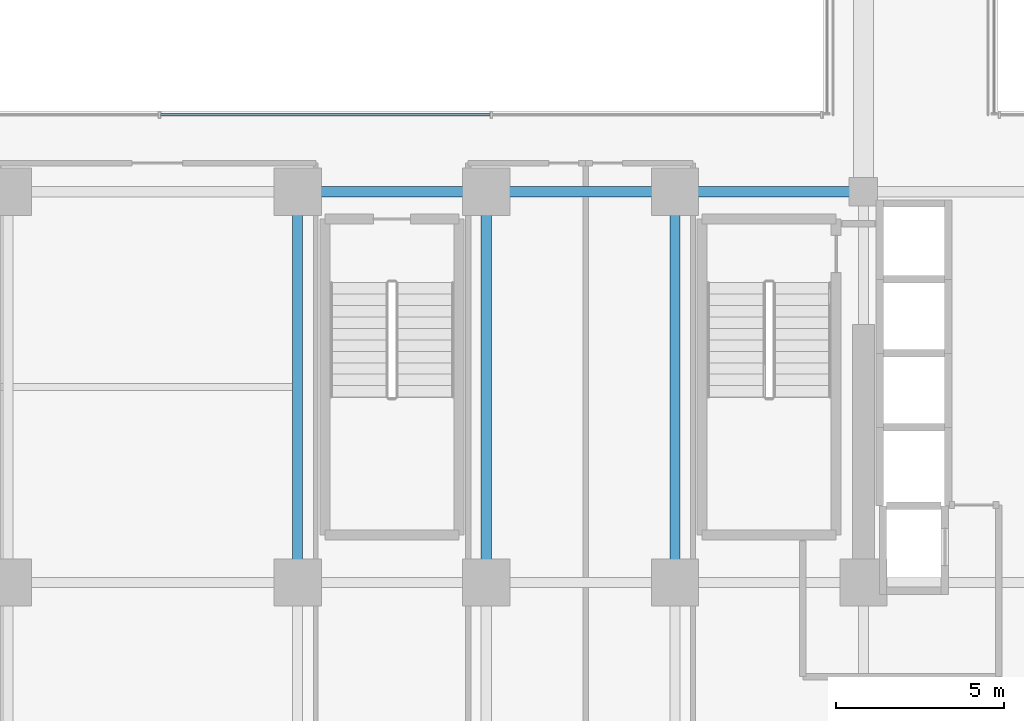
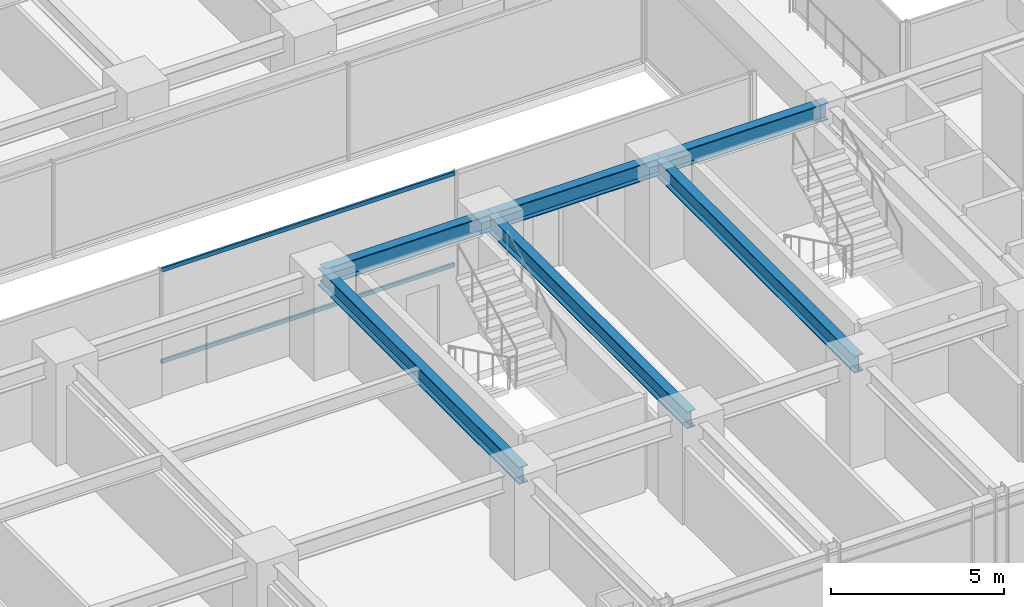
# One storey, part 9 of 35: 6 beams, 2 members, 1 element without a shape of its own.
"""IFC4 building model written with IfcOpenShell, lengths in metres."""

from ifc_helpers import new_model, si_unit, direction, frame, origin, origin_2d, place, context, subcontext, project, spatial, hollow_rectangle, i_section, extrude, source, transform, mapped, material, material_profile, profile_set, type_object, element, aggregate, save


model = new_model("IFC4")

# Units and contexts
model_context = context("Model", 3, precision=1e-05, world=origin(), true_north=direction((0.0, 1.0)))
body_context = subcontext(model_context, "Body", "Model", "MODEL_VIEW")
ifc_project = project(units=[si_unit("LENGTHUNIT", "METRE"), si_unit("AREAUNIT", "SQUARE_METRE"), si_unit("VOLUMEUNIT", "CUBIC_METRE"), si_unit("PLANEANGLEUNIT", "RADIAN"), si_unit("MASSUNIT", "GRAM", prefix="KILO")], contexts=[model_context])

# Site, building, storey
site_placement = place(None, origin())
site = spatial("IfcSite", under=ifc_project, at=site_placement, CompositionType="ELEMENT")
building_placement = place(site_placement, origin())
building = spatial("IfcBuilding", under=site, at=building_placement, Name="Nahalor Promenade Grand Hotel", CompositionType="ELEMENT")
storey_placement = place(building_placement, frame((0.0, 0.0, 43.35009765625)))
storey = spatial("IfcBuildingStorey", under=building, at=storey_placement, Name="L09", CompositionType="ELEMENT", Elevation=43.35009765625)

# Beams
ifc_material_1 = material(Name="Steel S355JR", Category="steel")
ifc_material_profile_1 = material_profile(ifc_material_1, i_section(OverallWidth=0.3, OverallDepth=0.6, WebThickness=0.0155, FlangeThickness=0.03, at=origin_2d()), Name="HEB 600")
ifc_profile_set_1 = profile_set([ifc_material_profile_1], Name="Steel S355JR")
beam_type = type_object("IfcBeamType", Name="Beam-Girder-HEB600", PredefinedType="BEAM", material=ifc_profile_set_1)
shared_shape_1 = source(origin(), body_context, "Body", "SweptSolid", [
    extrude(i_section(OverallWidth=0.3, OverallDepth=0.6, WebThickness=0.0155, FlangeThickness=0.03, at=origin_2d()), origin(), (0.0, 0.0, 1.0), 5.599853515625),
])
for number, where, z_axis, x_axis, name in (
    (1, (-8.39990234375, -5.39990234375, 3.06982421875), (1.0, 0.0, 0.0), (0.0, 1.0, 0.0), "BM-L09-GX-1-2"),
    (2, (2.800048828125, -5.39990234375, 3.06982421875), (1.0, 0.0, 0.0), (0.0, 1.0, 0.0), "BM-L09-GX-1-4"),
):
    element("IfcBeam", number, at=place(storey_placement, frame(where, z_axis=z_axis, x_axis=x_axis)), inside=storey, type_object=beam_type, Name=name, PredefinedType="BEAM", context=body_context, shape_type="MappedRepresentation", body=[
        mapped(shared_shape_1, transform((0.0, 0.0, 0.0), scale=1.0)),
    ])
shared_shape_2 = source(origin(), body_context, "Body", "SweptSolid", [
    extrude(i_section(OverallWidth=0.3, OverallDepth=0.6, WebThickness=0.0155, FlangeThickness=0.03, at=origin_2d()), origin(), (0.0, 0.0, 1.0), 5.60009765625),
])
beam_placement = place(storey_placement, frame((-2.800048828125, -5.39990234375, 3.06982421875), z_axis=(1.0, 0.0, 0.0), x_axis=(0.0, 1.0, 0.0)))
element("IfcBeam", 3, at=beam_placement, inside=storey, type_object=beam_type, Name="BM-L09-GX-1-3", PredefinedType="BEAM", context=body_context, shape_type="MappedRepresentation", body=[
    mapped(shared_shape_2, transform((0.0, 0.0, 0.0), scale=1.0)),
])
shared_shape_3 = source(origin(), body_context, "Body", "SweptSolid", [
    extrude(i_section(OverallWidth=0.3, OverallDepth=0.6, WebThickness=0.0155, FlangeThickness=0.03, at=origin_2d()), origin(), (0.0, 0.0, 1.0), 11.60009765625),
])
for number, where, z_axis, x_axis, name in (
    (4, (-8.39990234375, -17.0, 3.06982421875), (0.0, 1.0, 0.0), (-1.0, 0.0, 0.0), "BM-L09-GY-1-1"),
    (5, (-2.800048828125, -17.0, 3.06982421875), (0.0, 1.0, 0.0), (-1.0, 0.0, 0.0), "BM-L09-GY-2-1"),
    (6, (2.800048828125, -17.0, 3.06982421875), (0.0, 1.0, 0.0), (-1.0, 0.0, 0.0), "BM-L09-GY-3-1"),
):
    element("IfcBeam", number, at=place(storey_placement, frame(where, z_axis=z_axis, x_axis=x_axis)), inside=storey, type_object=beam_type, Name=name, PredefinedType="BEAM", context=body_context, shape_type="MappedRepresentation", body=[
        mapped(shared_shape_3, transform((0.0, 0.0, 0.0), scale=1.0)),
    ])

# Curtain wall, members
ifc_material_2 = material(Name="Anodised Bronze Aluminium EN AW-6063 T6", Category="aluminium")
curtain_wall_type = type_object("IfcCurtainWallType", Name="CW3 Elliptical-Void Collar Unitised Curtain Wall", PredefinedType="USERDEFINED", material=ifc_material_2)
curtain_wall_placement = place(storey_placement, origin())
curtain_wall = element("IfcCurtainWall", 7, at=curtain_wall_placement, inside=storey, type_object=curtain_wall_type, Name="L09 Curtain Wall CW-L09-VOID-WS1", ObjectType="UNITISED_CURTAIN_WALL", PredefinedType="USERDEFINED")
ifc_material_profile_2 = material_profile(ifc_material_2, hollow_rectangle(XDim=0.07, YDim=0.14, WallThickness=0.004, at=origin_2d()), Name="CWT 70x140x4")
ifc_profile_set_2 = profile_set([ifc_material_profile_2], Name="Anodised Bronze Aluminium EN AW-6063 T6")
member_type = type_object("IfcMemberType", Name="CWT3 Void Collar Transom 70x140", PredefinedType="USERDEFINED", material=ifc_profile_set_2)
shared_shape_4 = source(origin(), body_context, "Body", "SweptSolid", [
    extrude(hollow_rectangle(XDim=0.07, YDim=0.14, WallThickness=0.004, at=origin_2d()), origin(), (0.0, 0.0, 1.0), 9.783447265625),
])
member_1_placement = place(storey_placement, frame((-12.4716796875, -3.118896484375, 0.06982421875), z_axis=(1.0, 0.0, 0.0), x_axis=(0.0, 1.0, 0.0)))
member_1 = element("IfcMember", 8, at=member_1_placement, type_object=member_type, Name="CW-L09-VOID-WS1 Transom 1-0", ObjectType="TRANSOM", PredefinedType="USERDEFINED", context=body_context, shape_type="MappedRepresentation", body=[
    mapped(shared_shape_4, transform((0.0, 0.0, 0.0), scale=1.0)),
])
member_2_placement = place(storey_placement, frame((-12.4716796875, -3.118896484375, 3.2998046875), z_axis=(1.0, 0.0, 0.0), x_axis=(0.0, 1.0, 0.0)))
member_2 = element("IfcMember", 9, at=member_2_placement, type_object=member_type, Name="CW-L09-VOID-WS1 Transom 1-1", ObjectType="TRANSOM", PredefinedType="USERDEFINED", context=body_context, shape_type="MappedRepresentation", body=[
    mapped(shared_shape_4, transform((0.0, 0.0, 0.0), scale=1.0)),
])
aggregate(curtain_wall, [member_1, member_2])

save(model, "model.ifc")
